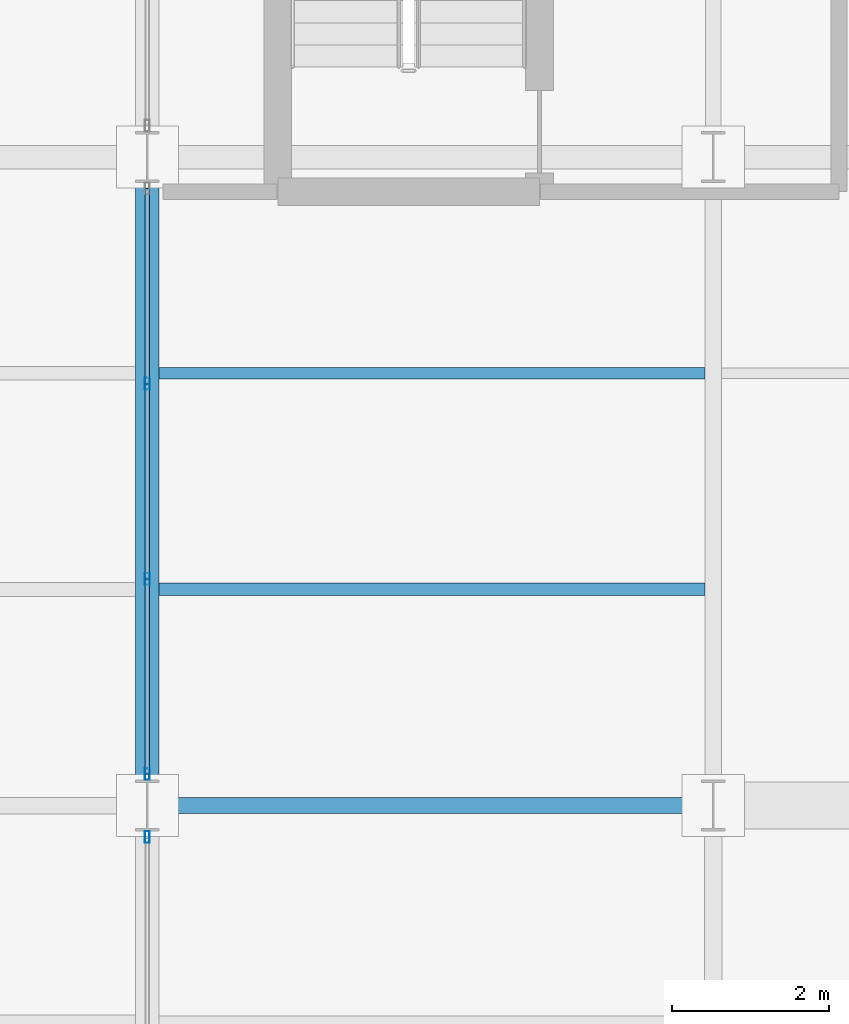
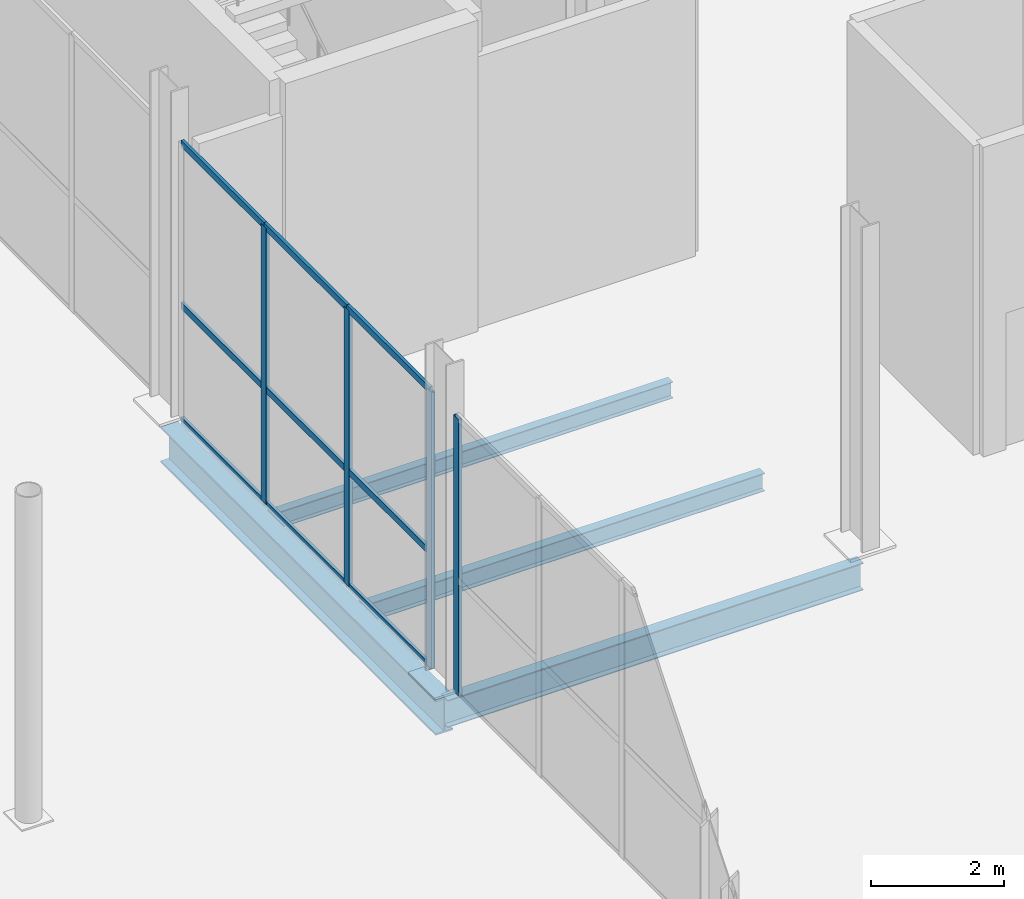
# One storey, part 31 of 144: 13 members, 4 beams, 2 elements without a shape of their own.
"""IFC4 building model written with IfcOpenShell, lengths in metres."""

from ifc_helpers import new_model, si_unit, direction, frame, origin, origin_2d, place, context, subcontext, project, spatial, hollow_rectangle, i_section, extrude, material, layer, layer_set, material_profile, profile_set, type_object, element, aggregate, save


model = new_model("IFC4")

# Units and contexts
model_context = context("Model", 3, precision=1e-05, world=origin(), true_north=direction((0.0, 1.0)))
body_context = subcontext(model_context, "Body", "Model", "MODEL_VIEW")
ifc_project = project(units=[si_unit("LENGTHUNIT", "METRE"), si_unit("AREAUNIT", "SQUARE_METRE"), si_unit("VOLUMEUNIT", "CUBIC_METRE"), si_unit("PLANEANGLEUNIT", "RADIAN"), si_unit("MASSUNIT", "GRAM", prefix="KILO")], contexts=[model_context])

# Site, building, storey
site_placement = place(None, origin())
site = spatial("IfcSite", under=ifc_project, at=site_placement, CompositionType="ELEMENT")
building_placement = place(site_placement, origin())
building = spatial("IfcBuilding", under=site, at=building_placement, Name="Sundgate Opera House", CompositionType="ELEMENT")
storey_placement = place(building_placement, origin())
storey = spatial("IfcBuildingStorey", under=building, at=storey_placement, Name="L00", CompositionType="ELEMENT", Elevation=0.0)

# Beams
ifc_material_1 = material(Name="Steel S355J2", Category="steel")
ifc_material_profile_1 = material_profile(ifc_material_1, i_section(OverallWidth=0.300048828125, OverallDepth=0.64990234375, WebThickness=0.01611328125, FlangeThickness=0.031005859375, at=origin_2d()), Name="HEB 650")
ifc_profile_set_1 = profile_set([ifc_material_profile_1], Name="Steel S355J2")
beam_type_1 = type_object("IfcBeamType", Name="BM-GR-HEB650", PredefinedType="BEAM", material=ifc_profile_set_1)
beam_1_placement = place(storey_placement, frame((95.39990234375, 16.5, -0.64501953125), z_axis=(0.0, 1.0, 0.0), x_axis=(-1.0, 0.0, 0.0)))
element("IfcBeam", 1, at=beam_1_placement, inside=storey, type_object=beam_type_1, Name="L00 Primary N-S Girder B0192", PredefinedType="BEAM", context=body_context, shape_type="SweptSolid", body=[
    extrude(i_section(OverallWidth=0.300048828125, OverallDepth=0.64990234375, WebThickness=0.01611328125, FlangeThickness=0.031005859375, at=origin_2d()), origin(), (0.0, 0.0, 1.0), 8.25),
])
ifc_material_2 = material(Name="Steel S355J2", Category="steel")
ifc_material_profile_2 = material_profile(ifc_material_2, i_section(OverallWidth=0.199951171875, OverallDepth=0.5, WebThickness=0.01025390625, FlangeThickness=0.01611328125, at=origin_2d()), Name="IPE 500")
ifc_profile_set_2 = profile_set([ifc_material_profile_2], Name="Steel S355J2")
beam_type_2 = type_object("IfcBeamType", Name="BM-GR-IPE500", PredefinedType="BEAM", material=ifc_profile_set_2)
beam_2_placement = place(storey_placement, frame((95.39990234375, 16.5, -0.570068359375), z_axis=(1.0, 0.0, 0.0), x_axis=(0.0, 1.0, 0.0)))
element("IfcBeam", 2, at=beam_2_placement, inside=storey, type_object=beam_type_2, Name="L00 Primary E-W Girder B0360", PredefinedType="BEAM", context=body_context, shape_type="SweptSolid", body=[
    extrude(i_section(OverallWidth=0.199951171875, OverallDepth=0.5, WebThickness=0.01025390625, FlangeThickness=0.01611328125, at=origin_2d()), origin(), (0.0, 0.0, 1.0), 7.2001953125),
])
ifc_material_3 = material(Name="Steel S355J2", Category="steel")
ifc_material_profile_3 = material_profile(ifc_material_3, i_section(OverallWidth=0.14990234375, OverallDepth=0.300048828125, WebThickness=0.007080078125, FlangeThickness=0.0107421875, at=origin_2d()), Name="IPE 300")
ifc_profile_set_3 = profile_set([ifc_material_profile_3], Name="Steel S355J2")
beam_type_3 = type_object("IfcBeamType", Name="BM-JS-IPE300", PredefinedType="JOIST", material=ifc_profile_set_3)
beam_3_placement = place(storey_placement, frame((95.550048828125, 22.0, -0.469970703125), z_axis=(1.0, 0.0, 0.0), x_axis=(0.0, 1.0, 0.0)))
element("IfcBeam", 3, at=beam_3_placement, inside=storey, type_object=beam_type_3, Name="L00 Secondary Floor Joist B0662", PredefinedType="JOIST", context=body_context, shape_type="SweptSolid", body=[
    extrude(i_section(OverallWidth=0.14990234375, OverallDepth=0.300048828125, WebThickness=0.007080078125, FlangeThickness=0.0107421875, at=origin_2d()), origin(), (0.0, 0.0, 1.0), 6.945068359375),
])
ifc_material_4 = material(Name="Steel S355J2", Category="steel")
ifc_material_profile_4 = material_profile(ifc_material_4, i_section(OverallWidth=0.159912109375, OverallDepth=0.330078125, WebThickness=0.007568359375, FlangeThickness=0.011474609375, at=origin_2d()), Name="IPE 330")
ifc_profile_set_4 = profile_set([ifc_material_profile_4], Name="Steel S355J2")
beam_type_4 = type_object("IfcBeamType", Name="BM-JS-IPE330", PredefinedType="JOIST", material=ifc_profile_set_4)
beam_4_placement = place(storey_placement, frame((95.550048828125, 19.25, -0.485107421875), z_axis=(1.0, 0.0, 0.0), x_axis=(0.0, 1.0, 0.0)))
element("IfcBeam", 4, at=beam_4_placement, inside=storey, type_object=beam_type_4, Name="L00 Secondary Floor Joist B0661", PredefinedType="JOIST", context=body_context, shape_type="SweptSolid", body=[
    extrude(i_section(OverallWidth=0.159912109375, OverallDepth=0.330078125, WebThickness=0.007568359375, FlangeThickness=0.011474609375, at=origin_2d()), origin(), (0.0, 0.0, 1.0), 6.945068359375),
])

# Curtain wall, member
ifc_material_5 = material(Name="Anodized aluminium and low-iron glass", Category="aluminium")
ifc_layer = layer(ifc_material_5, 0.14990234375)
ifc_layer_set = layer_set([ifc_layer], Name="Anodized aluminium and low-iron glass")
curtain_wall_type = type_object("IfcCurtainWallType", Name="CW-WORKSHOP-DARK", PredefinedType="NOTDEFINED", material=ifc_layer_set)
curtain_wall_1_placement = place(storey_placement, origin())
curtain_wall_1 = element("IfcCurtainWall", 5, at=curtain_wall_1_placement, inside=storey, type_object=curtain_wall_type, Name="L00 Curtain Wall CW132", PredefinedType="NOTDEFINED")
ifc_material_6 = material(Name="Anodized aluminium EN AW-6063", Category="aluminium")
ifc_material_profile_5 = material_profile(ifc_material_6, hollow_rectangle(XDim=0.06005859375, YDim=0.14990234375, WallThickness=0.00390625, at=origin_2d()), Name="CWM 150x60x4")
ifc_profile_set_5 = profile_set([ifc_material_profile_5], Name="Anodized aluminium EN AW-6063")
member_type_1 = type_object("IfcMemberType", Name="CWM-ALU-150x60", PredefinedType="MULLION", material=ifc_profile_set_5)
member_1_placement = place(storey_placement, frame((95.39990234375, 16.10009765625, 0.0), z_axis=(0.0, 0.0, 1.0), x_axis=(1.0, 0.0, 0.0)))
member_1 = element("IfcMember", 6, at=member_1_placement, type_object=member_type_1, Name="CW132 Mullion 1", PredefinedType="MULLION", context=body_context, shape_type="SweptSolid", body=[
    extrude(hollow_rectangle(XDim=0.06005859375, YDim=0.14990234375, WallThickness=0.00390625, at=origin_2d()), origin(), (0.0, 0.0, 1.0), 5.06494140625),
])
aggregate(curtain_wall_1, [member_1])

# Curtain wall, members
curtain_wall_2_placement = place(storey_placement, origin())
curtain_wall_2 = element("IfcCurtainWall", 7, at=curtain_wall_2_placement, inside=storey, type_object=curtain_wall_type, Name="L00 Curtain Wall CW133", PredefinedType="NOTDEFINED")
member_2_placement = place(storey_placement, frame((95.39990234375, 21.86669921875, 0.0), z_axis=(0.0, 0.0, 1.0), x_axis=(1.0, 0.0, 0.0)))
member_2 = element("IfcMember", 8, at=member_2_placement, type_object=member_type_1, Name="CW133 Mullion 2", PredefinedType="MULLION", context=body_context, shape_type="SweptSolid", body=[
    extrude(hollow_rectangle(XDim=0.06005859375, YDim=0.14990234375, WallThickness=0.00390625, at=origin_2d()), origin(), (0.0, 0.0, 1.0), 5.06494140625),
])
member_3_placement = place(storey_placement, frame((95.39990234375, 19.38330078125, 0.0), z_axis=(0.0, 0.0, 1.0), x_axis=(1.0, 0.0, 0.0)))
member_3 = element("IfcMember", 9, at=member_3_placement, type_object=member_type_1, Name="CW133 Mullion 3", PredefinedType="MULLION", context=body_context, shape_type="SweptSolid", body=[
    extrude(hollow_rectangle(XDim=0.06005859375, YDim=0.14990234375, WallThickness=0.00390625, at=origin_2d()), origin(), (0.0, 0.0, 1.0), 5.06494140625),
])
member_4_placement = place(storey_placement, frame((95.39990234375, 16.89990234375, 0.0), z_axis=(0.0, 0.0, 1.0), x_axis=(1.0, 0.0, 0.0)))
member_4 = element("IfcMember", 10, at=member_4_placement, type_object=member_type_1, Name="CW133 Mullion 4", PredefinedType="MULLION", context=body_context, shape_type="SweptSolid", body=[
    extrude(hollow_rectangle(XDim=0.06005859375, YDim=0.14990234375, WallThickness=0.00390625, at=origin_2d()), origin(), (0.0, 0.0, 1.0), 5.06494140625),
])
ifc_material_7 = material(Name="Anodized aluminium EN AW-6063", Category="aluminium")
ifc_material_profile_6 = material_profile(ifc_material_7, hollow_rectangle(XDim=0.054931640625, YDim=0.1201171875, WallThickness=0.00390625, at=origin_2d()), Name="CWT 120x55x4")
ifc_profile_set_6 = profile_set([ifc_material_profile_6], Name="Anodized aluminium EN AW-6063")
member_type_2 = type_object("IfcMemberType", Name="CWT-ALU-120x55", PredefinedType="USERDEFINED", material=ifc_profile_set_6)
member_5_placement = place(storey_placement, frame((95.39990234375, 24.35009765625, 0.0), z_axis=(0.0, -1.0, 0.0), x_axis=(1.0, 0.0, 0.0)))
member_5 = element("IfcMember", 11, at=member_5_placement, type_object=member_type_2, Name="CW133 Transom 1", ObjectType="TRANSOM", PredefinedType="USERDEFINED", context=body_context, shape_type="SweptSolid", body=[
    extrude(hollow_rectangle(XDim=0.054931640625, YDim=0.1201171875, WallThickness=0.00390625, at=origin_2d()), origin(), (0.0, 0.0, 1.0), 2.4833984375),
])
member_6_placement = place(storey_placement, frame((95.39990234375, 24.35009765625, 2.10009765625), z_axis=(0.0, -1.0, 0.0), x_axis=(1.0, 0.0, 0.0)))
member_6 = element("IfcMember", 12, at=member_6_placement, type_object=member_type_2, Name="CW133 Transom 2", ObjectType="TRANSOM", PredefinedType="USERDEFINED", context=body_context, shape_type="SweptSolid", body=[
    extrude(hollow_rectangle(XDim=0.054931640625, YDim=0.1201171875, WallThickness=0.00390625, at=origin_2d()), origin(), (0.0, 0.0, 1.0), 2.4833984375),
])
member_7_placement = place(storey_placement, frame((95.39990234375, 24.35009765625, 5.06494140625), z_axis=(0.0, -1.0, 0.0), x_axis=(1.0, 0.0, 0.0)))
member_7 = element("IfcMember", 13, at=member_7_placement, type_object=member_type_2, Name="CW133 Transom 3", ObjectType="TRANSOM", PredefinedType="USERDEFINED", context=body_context, shape_type="SweptSolid", body=[
    extrude(hollow_rectangle(XDim=0.054931640625, YDim=0.1201171875, WallThickness=0.00390625, at=origin_2d()), origin(), (0.0, 0.0, 1.0), 2.4833984375),
])
member_8_placement = place(storey_placement, frame((95.39990234375, 21.86669921875, 0.0), z_axis=(0.0, -1.0, 0.0), x_axis=(1.0, 0.0, 0.0)))
member_8 = element("IfcMember", 14, at=member_8_placement, type_object=member_type_2, Name="CW133 Transom 4", ObjectType="TRANSOM", PredefinedType="USERDEFINED", context=body_context, shape_type="SweptSolid", body=[
    extrude(hollow_rectangle(XDim=0.054931640625, YDim=0.1201171875, WallThickness=0.00390625, at=origin_2d()), origin(), (0.0, 0.0, 1.0), 2.4833984375),
])
member_9_placement = place(storey_placement, frame((95.39990234375, 21.86669921875, 2.10009765625), z_axis=(0.0, -1.0, 0.0), x_axis=(1.0, 0.0, 0.0)))
member_9 = element("IfcMember", 15, at=member_9_placement, type_object=member_type_2, Name="CW133 Transom 5", ObjectType="TRANSOM", PredefinedType="USERDEFINED", context=body_context, shape_type="SweptSolid", body=[
    extrude(hollow_rectangle(XDim=0.054931640625, YDim=0.1201171875, WallThickness=0.00390625, at=origin_2d()), origin(), (0.0, 0.0, 1.0), 2.4833984375),
])
member_10_placement = place(storey_placement, frame((95.39990234375, 21.86669921875, 5.06494140625), z_axis=(0.0, -1.0, 0.0), x_axis=(1.0, 0.0, 0.0)))
member_10 = element("IfcMember", 16, at=member_10_placement, type_object=member_type_2, Name="CW133 Transom 6", ObjectType="TRANSOM", PredefinedType="USERDEFINED", context=body_context, shape_type="SweptSolid", body=[
    extrude(hollow_rectangle(XDim=0.054931640625, YDim=0.1201171875, WallThickness=0.00390625, at=origin_2d()), origin(), (0.0, 0.0, 1.0), 2.4833984375),
])
member_11_placement = place(storey_placement, frame((95.39990234375, 19.38330078125, 0.0), z_axis=(0.0, -1.0, 0.0), x_axis=(1.0, 0.0, 0.0)))
member_11 = element("IfcMember", 17, at=member_11_placement, type_object=member_type_2, Name="CW133 Transom 7", ObjectType="TRANSOM", PredefinedType="USERDEFINED", context=body_context, shape_type="SweptSolid", body=[
    extrude(hollow_rectangle(XDim=0.054931640625, YDim=0.1201171875, WallThickness=0.00390625, at=origin_2d()), origin(), (0.0, 0.0, 1.0), 2.4833984375),
])
member_12_placement = place(storey_placement, frame((95.39990234375, 19.38330078125, 2.10009765625), z_axis=(0.0, -1.0, 0.0), x_axis=(1.0, 0.0, 0.0)))
member_12 = element("IfcMember", 18, at=member_12_placement, type_object=member_type_2, Name="CW133 Transom 8", ObjectType="TRANSOM", PredefinedType="USERDEFINED", context=body_context, shape_type="SweptSolid", body=[
    extrude(hollow_rectangle(XDim=0.054931640625, YDim=0.1201171875, WallThickness=0.00390625, at=origin_2d()), origin(), (0.0, 0.0, 1.0), 2.4833984375),
])
member_13_placement = place(storey_placement, frame((95.39990234375, 19.38330078125, 5.06494140625), z_axis=(0.0, -1.0, 0.0), x_axis=(1.0, 0.0, 0.0)))
member_13 = element("IfcMember", 19, at=member_13_placement, type_object=member_type_2, Name="CW133 Transom 9", ObjectType="TRANSOM", PredefinedType="USERDEFINED", context=body_context, shape_type="SweptSolid", body=[
    extrude(hollow_rectangle(XDim=0.054931640625, YDim=0.1201171875, WallThickness=0.00390625, at=origin_2d()), origin(), (0.0, 0.0, 1.0), 2.4833984375),
])
aggregate(curtain_wall_2, [member_2, member_3, member_4, member_5, member_6, member_7, member_8, member_9, member_10, member_11, member_12, member_13])

save(model, "model.ifc")
